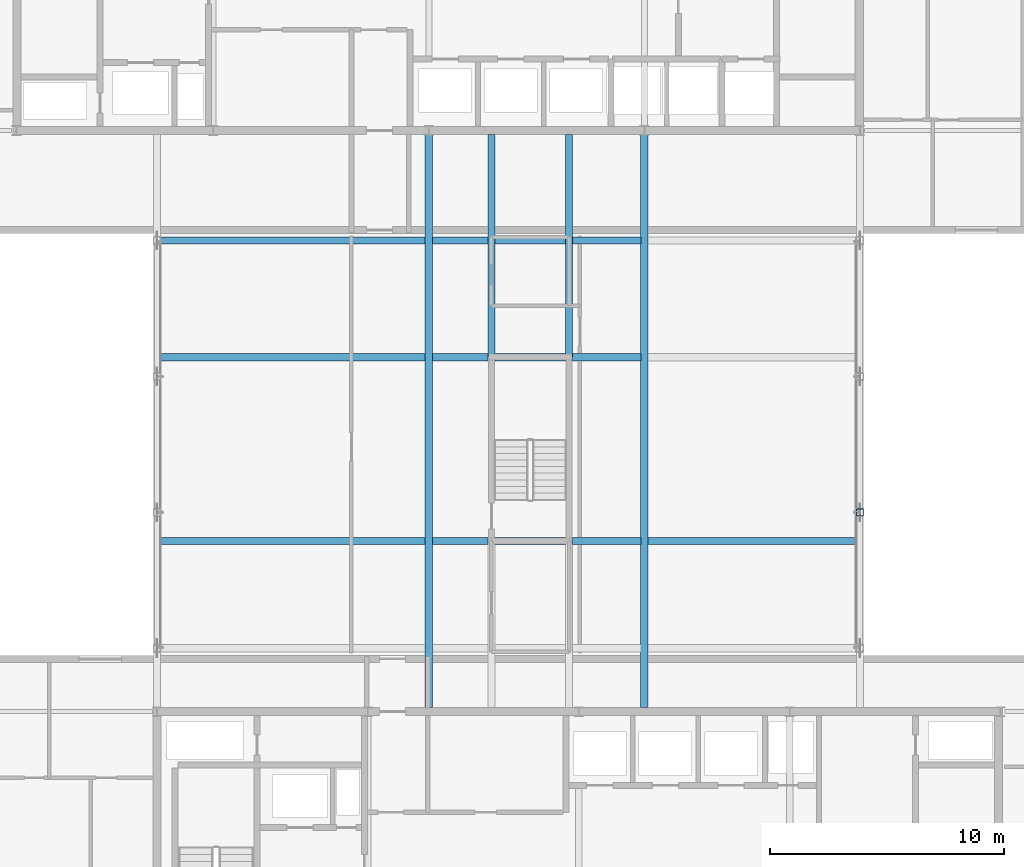
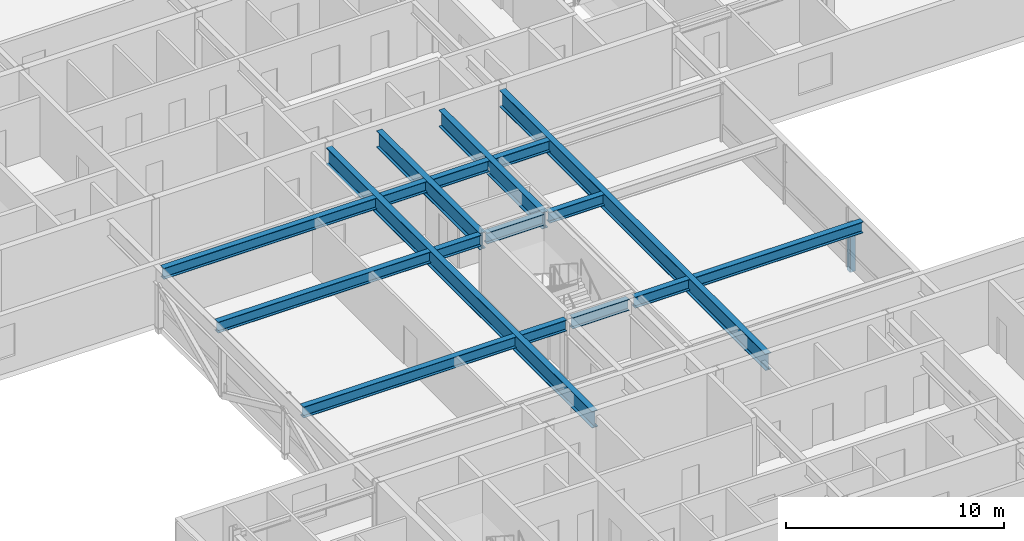
# One storey, part 9 of 36: 17 beams, 1 member.
"""IFC4 building model written with IfcOpenShell, lengths in metres."""

import ifcopenshell
import ifcopenshell.guid

model = None  # the IFC model being written
_history = None  # IfcOwnerHistory: only IFC2X3 demands one
_inside = {}  # id of a spatial element -> (the spatial element, [elements in it])
_under = {}  # id of a project, library or spatial element -> (it, [spatial elements below it])
_declared = {}  # id of a project -> (the project, [libraries it declares])
_typed = {}  # id of a type object -> (the type object, [elements of that type])
_made_of = {}  # id of a material, layer set ... -> (it, [elements and type objects made of it])


def new_model(schema):
    """Start an empty IFC model of exactly this schema.

    Asked for "IFC4X3", IfcOpenShell would pick the latest addendum, in which some entities
    have other attributes; the version numbers below select the first issue.
    IFC2X3 requires an IfcOwnerHistory on every rooted entity: one is made here for all.
    """
    global model, _history
    if schema == "IFC4X3":
        model = ifcopenshell.file(schema_version=(4, 3, 0, 0))
    else:
        model = ifcopenshell.file(schema=schema)
    _inside.clear()
    _under.clear()
    _declared.clear()
    _typed.clear()
    _made_of.clear()
    _history = None
    if model.schema == "IFC2X3":
        org = make("IfcOrganization", Name="unknown")
        user = make(
            "IfcPersonAndOrganization",
            ThePerson=make("IfcPerson", FamilyName="unknown"),
            TheOrganization=org,
        )
        app = make(
            "IfcApplication",
            ApplicationDeveloper=org,
            Version="unknown",
            ApplicationFullName="unknown",
            ApplicationIdentifier="unknown",
        )
        _history = make(
            "IfcOwnerHistory",
            OwningUser=user,
            OwningApplication=app,
            ChangeAction="ADDED",
            CreationDate=0,
        )
    return model


def make(cls, **values):
    """One entity of the class cls with the attributes given. An attribute that is None is left unset."""
    return model.create_entity(
        cls, **{name: value for name, value in values.items() if value is not None}
    )


def rooted(cls, **values):
    """An entity with a GlobalId (a new one), such as an element, a storey or a relation."""
    return make(cls, GlobalId=ifcopenshell.guid.new(), OwnerHistory=_history, **values)


def si_unit(unit_type, name, prefix=None):
    """IfcSIUnit, for example si_unit("LENGTHUNIT", "METRE", prefix="MILLI")."""
    return make("IfcSIUnit", UnitType=unit_type, Prefix=prefix, Name=name)


def assignment(units):
    """IfcUnitAssignment: the units of a project."""
    return None if units is None else make("IfcUnitAssignment", Units=units)


def point(xyz):
    """IfcCartesianPoint."""
    return None if xyz is None else make("IfcCartesianPoint", Coordinates=xyz)


def direction(xyz):
    """IfcDirection."""
    return None if xyz is None else make("IfcDirection", DirectionRatios=xyz)


def frame(location, z_axis=None, x_axis=None):
    """IfcAxis2Placement3D, a coordinate frame: its origin and axes. An axis left out is left unset."""
    return make(
        "IfcAxis2Placement3D",
        Location=point(location),
        Axis=direction(z_axis),
        RefDirection=direction(x_axis),
    )


def frame_2d(location, x_axis=None):
    """IfcAxis2Placement2D, a coordinate frame in the plane: its origin and x axis."""
    return make(
        "IfcAxis2Placement2D", Location=point(location), RefDirection=direction(x_axis)
    )


def origin():
    """The frame at (0, 0, 0) with its axes left unset."""
    return frame((0.0, 0.0, 0.0))


def origin_2d():
    """The frame at (0, 0) in the plane with its x axis left unset."""
    return frame_2d((0.0, 0.0))


def place(relative_to, where):
    """IfcLocalPlacement: puts the frame where relative to a parent placement (None: the world)."""
    return make(
        "IfcLocalPlacement", PlacementRelTo=relative_to, RelativePlacement=where
    )


def context(
    kind, dimensions, precision=None, world=None, true_north=None, identifier=None
):
    """IfcGeometricRepresentationContext, for example the 3D "Model" context."""
    return make(
        "IfcGeometricRepresentationContext",
        ContextIdentifier=identifier,
        ContextType=kind,
        CoordinateSpaceDimension=dimensions,
        Precision=precision,
        WorldCoordinateSystem=world,
        TrueNorth=true_north,
    )


def subcontext(parent, identifier, kind, view, scale=None):
    """IfcGeometricRepresentationSubContext, for example "Body" below "Model"."""
    return make(
        "IfcGeometricRepresentationSubContext",
        ContextIdentifier=identifier,
        ContextType=kind,
        ParentContext=parent,
        TargetScale=scale,
        TargetView=view,
    )


def project(units=None, contexts=None):
    """IfcProject with its units and contexts."""
    return rooted(
        "IfcProject",
        Name="project",
        RepresentationContexts=contexts,
        UnitsInContext=assignment(units),
    )


def spatial(cls, under=None, at=None, **own):
    """A site, building, storey or space (cls), placed at a placement, below another one or the project."""
    s = rooted(cls, ObjectPlacement=at, **own)
    if under is not None:
        _under.setdefault(under.id(), (under, []))[1].append(s)
    return s


def profile(cls, at=None, kind="AREA", **sizes):
    """A parametric profile (cls). Its sizes go by their IFC names, for example OverallWidth=200.0."""
    return make(cls, ProfileType=kind, Position=at, **sizes)


def hollow_rectangle(**sizes):
    """IfcRectangleHollowProfileDef."""
    return profile("IfcRectangleHollowProfileDef", **sizes)


def i_section(**sizes):
    """IfcIShapeProfileDef."""
    return profile("IfcIShapeProfileDef", **sizes)


def extrude(swept, where, along, depth):
    """IfcExtrudedAreaSolid: the profile swept, set in the frame where, extruded along a direction by depth."""
    return make(
        "IfcExtrudedAreaSolid",
        SweptArea=swept,
        Position=where,
        ExtrudedDirection=direction(along),
        Depth=depth,
    )


def shape(context_of_items, identifier, shape_type, items):
    """IfcShapeRepresentation: the items that make up one representation, for example the "Body"."""
    return make(
        "IfcShapeRepresentation",
        ContextOfItems=context_of_items,
        RepresentationIdentifier=identifier,
        RepresentationType=shape_type,
        Items=items,
    )


def material(Name=None, Category=None):
    """IfcMaterial."""
    return make("IfcMaterial", Name=Name, Category=Category)


def material_profile(
    of_material, cross_section, Name=None, Category=None, Priority=None
):
    """IfcMaterialProfile: a cross section and its material."""
    return make(
        "IfcMaterialProfile",
        Name=Name,
        Material=of_material,
        Profile=cross_section,
        Priority=Priority,
        Category=Category,
    )


def profile_set(profiles, Name=None, composite=None):
    """IfcMaterialProfileSet."""
    return make(
        "IfcMaterialProfileSet",
        Name=Name,
        MaterialProfiles=profiles,
        CompositeProfile=composite,
    )


def made_of(thing, what):
    """Note that an element or type object is made of a material, layer set ...; save() writes the relation."""
    if what is not None:
        _made_of.setdefault(what.id(), (what, []))[1].append(thing)
    return thing


def type_object(cls, material=None, **own):
    """A type object (cls), such as IfcWallType, which elements share."""
    return made_of(rooted(cls, **own), material)


def element(
    cls,
    number,
    at=None,
    inside=None,
    cuts=None,
    type_object=None,
    material=None,
    context=None,
    identifier="Body",
    shape_type=None,
    held_by="IfcProductDefinitionShape",
    body=None,
    shapes=None,
    **own,
):
    """One element of the class cls, such as IfcWall. Its Tag is "e" and its number.

    at: its placement. inside: the storey or other place that contains it. cuts: it is an
    opening in that element (IfcRelVoidsElement). A single representation is given by context,
    identifier, shape_type and body (its items); several are given by shapes. held_by: the class
    of the entity that holds the representations. save() writes the other relations.
    """
    e = rooted(cls, Tag="e%d" % number, ObjectPlacement=at, **own)
    if body is not None:
        shapes = [shape(context, identifier, shape_type, body)]
    if shapes is not None:
        e.Representation = make(held_by, Representations=shapes)
    if inside is not None:
        _inside.setdefault(inside.id(), (inside, []))[1].append(e)
    if cuts is not None:
        rooted(
            "IfcRelVoidsElement", RelatingBuildingElement=cuts, RelatedOpeningElement=e
        )
    if type_object is not None:
        _typed.setdefault(type_object.id(), (type_object, []))[1].append(e)
    return made_of(e, material)


def aggregate(whole, parts):
    """IfcRelAggregates: a whole, such as a stair, and the parts it consists of."""
    return rooted("IfcRelAggregates", RelatingObject=whole, RelatedObjects=parts)


def save(model, path):
    """Write the relations noted so far, then the file.

    IfcRelAggregates (storeys below a building ...), IfcRelContainedInSpatialStructure (elements
    in a storey), IfcRelDefinesByType, IfcRelAssociatesMaterial and IfcRelDeclares: one each for
    every whole, place, type object, material and project.
    """
    for whole, parts in _under.values():
        aggregate(whole, parts)
    for where, things in _inside.values():
        rooted(
            "IfcRelContainedInSpatialStructure",
            RelatedElements=things,
            RelatingStructure=where,
        )
    for kind, things in _typed.values():
        rooted("IfcRelDefinesByType", RelatedObjects=things, RelatingType=kind)
    for what, things in _made_of.values():
        rooted("IfcRelAssociatesMaterial", RelatedObjects=things, RelatingMaterial=what)
    for by, libraries in _declared.values():
        rooted("IfcRelDeclares", RelatingContext=by, RelatedDefinitions=libraries)
    model.write(path)


model = new_model("IFC4")

# Units and contexts
model_context = context("Model", 3, precision=1e-05, world=origin(), true_north=direction((0.0, 1.0)))
body_context = subcontext(model_context, "Body", "Model", "MODEL_VIEW")
ifc_project = project(units=[si_unit("LENGTHUNIT", "METRE"), si_unit("AREAUNIT", "SQUARE_METRE"), si_unit("VOLUMEUNIT", "CUBIC_METRE"), si_unit("PLANEANGLEUNIT", "RADIAN"), si_unit("MASSUNIT", "GRAM", prefix="KILO")], contexts=[model_context])

# Site, building, storey
site_placement = place(None, origin())
site = spatial("IfcSite", under=ifc_project, at=site_placement, CompositionType="ELEMENT")
building_placement = place(site_placement, origin())
building = spatial("IfcBuilding", under=site, at=building_placement, Name="Korimba Cascade Residences", CompositionType="ELEMENT")
storey_placement = place(building_placement, frame((0.0, 0.0, 139.300048828125)))
storey = spatial("IfcBuildingStorey", under=building, at=storey_placement, Name="L40", CompositionType="ELEMENT", Elevation=139.300048828125)

# Beams
ifc_material_1 = material(Name="Steel S355", Category="steel")
ifc_material_profile_1 = material_profile(ifc_material_1, i_section(OverallWidth=0.30712890625, OverallDepth=0.6201171875, WebThickness=0.01416015625, FlangeThickness=0.023681640625, FilletRadius=0.0166015625, at=origin_2d()), Name="Steel S355")
ifc_profile_set_1 = profile_set([ifc_material_profile_1], Name="Steel S355")
beam_type_1 = type_object("IfcBeamType", Name="BM-STL-UB610A", PredefinedType="BEAM", material=ifc_profile_set_1)
beam_1_placement = place(storey_placement, frame((82.251953125, 37.675048828125, 2.999755859375), z_axis=(1.0, 0.0, 0.0), x_axis=(0.0, 1.0, 0.0)))
element("IfcBeam", 1, at=beam_1_placement, inside=storey, type_object=beam_type_1, Name="L40 Mid-Bridge Cross Beam 37.1", PredefinedType="BEAM", context=body_context, shape_type="SweptSolid", body=[
    extrude(i_section(OverallWidth=0.30712890625, OverallDepth=0.6201171875, WebThickness=0.01416015625, FlangeThickness=0.023681640625, FilletRadius=0.0166015625, at=origin_2d()), origin(), (0.0, 0.0, 1.0), 11.296142578125),
])
beam_2_placement = place(storey_placement, frame((93.85205078125, 37.675048828125, 2.999755859375), z_axis=(1.0, 0.0, 0.0), x_axis=(0.0, 1.0, 0.0)))
element("IfcBeam", 2, at=beam_2_placement, inside=storey, type_object=beam_type_1, Name="L40 Mid-Bridge Cross Beam 37.2", PredefinedType="BEAM", context=body_context, shape_type="SweptSolid", body=[
    extrude(i_section(OverallWidth=0.30712890625, OverallDepth=0.6201171875, WebThickness=0.01416015625, FlangeThickness=0.023681640625, FilletRadius=0.0166015625, at=origin_2d()), origin(), (0.0, 0.0, 1.0), 2.370849609375),
])
beam_3_placement = place(storey_placement, frame((96.527099609375, 37.675048828125, 2.999755859375), z_axis=(1.0, 0.0, 0.0), x_axis=(0.0, 1.0, 0.0)))
element("IfcBeam", 3, at=beam_3_placement, inside=storey, type_object=beam_type_1, Name="L40 Mid-Bridge Cross Beam 37.3", PredefinedType="BEAM", context=body_context, shape_type="SweptSolid", body=[
    extrude(i_section(OverallWidth=0.30712890625, OverallDepth=0.6201171875, WebThickness=0.01416015625, FlangeThickness=0.023681640625, FilletRadius=0.0166015625, at=origin_2d()), origin(), (0.0, 0.0, 1.0), 3.005859375),
])
beam_4_placement = place(storey_placement, frame((99.8369140625, 37.675048828125, 2.999755859375), z_axis=(1.0, 0.0, 0.0), x_axis=(0.0, 1.0, 0.0)))
element("IfcBeam", 4, at=beam_4_placement, inside=storey, type_object=beam_type_1, Name="L40 Mid-Bridge Cross Beam 37.4", PredefinedType="BEAM", context=body_context, shape_type="SweptSolid", body=[
    extrude(i_section(OverallWidth=0.30712890625, OverallDepth=0.6201171875, WebThickness=0.01416015625, FlangeThickness=0.023681640625, FilletRadius=0.0166015625, at=origin_2d()), origin(), (0.0, 0.0, 1.0), 2.9111328125),
])
beam_5_placement = place(storey_placement, frame((103.052001953125, 37.675048828125, 2.999755859375), z_axis=(1.0, 0.0, 0.0), x_axis=(0.0, 1.0, 0.0)))
element("IfcBeam", 5, at=beam_5_placement, inside=storey, type_object=beam_type_1, Name="L40 Mid-Bridge Cross Beam 37.5", PredefinedType="BEAM", context=body_context, shape_type="SweptSolid", body=[
    extrude(i_section(OverallWidth=0.30712890625, OverallDepth=0.6201171875, WebThickness=0.01416015625, FlangeThickness=0.023681640625, FilletRadius=0.0166015625, at=origin_2d()), origin(), (0.0, 0.0, 1.0), 8.89599609375),
])
beam_6_placement = place(storey_placement, frame((82.251953125, 45.52490234375, 2.999755859375), z_axis=(1.0, 0.0, 0.0), x_axis=(0.0, 1.0, 0.0)))
element("IfcBeam", 6, at=beam_6_placement, inside=storey, type_object=beam_type_1, Name="L40 Mid-Bridge Cross Beam 45.1", PredefinedType="BEAM", context=body_context, shape_type="SweptSolid", body=[
    extrude(i_section(OverallWidth=0.30712890625, OverallDepth=0.6201171875, WebThickness=0.01416015625, FlangeThickness=0.023681640625, FilletRadius=0.0166015625, at=origin_2d()), origin(), (0.0, 0.0, 1.0), 11.296142578125),
])
beam_7_placement = place(storey_placement, frame((93.85205078125, 45.52490234375, 2.999755859375), z_axis=(1.0, 0.0, 0.0), x_axis=(0.0, 1.0, 0.0)))
element("IfcBeam", 7, at=beam_7_placement, inside=storey, type_object=beam_type_1, Name="L40 Mid-Bridge Cross Beam 45.2", PredefinedType="BEAM", context=body_context, shape_type="SweptSolid", body=[
    extrude(i_section(OverallWidth=0.30712890625, OverallDepth=0.6201171875, WebThickness=0.01416015625, FlangeThickness=0.023681640625, FilletRadius=0.0166015625, at=origin_2d()), origin(), (0.0, 0.0, 1.0), 2.370849609375),
])
beam_8_placement = place(storey_placement, frame((96.527099609375, 45.52490234375, 2.999755859375), z_axis=(1.0, 0.0, 0.0), x_axis=(0.0, 1.0, 0.0)))
element("IfcBeam", 8, at=beam_8_placement, inside=storey, type_object=beam_type_1, Name="L40 Mid-Bridge Cross Beam 45.3", PredefinedType="BEAM", context=body_context, shape_type="SweptSolid", body=[
    extrude(i_section(OverallWidth=0.30712890625, OverallDepth=0.6201171875, WebThickness=0.01416015625, FlangeThickness=0.023681640625, FilletRadius=0.0166015625, at=origin_2d()), origin(), (0.0, 0.0, 1.0), 3.005859375),
])
beam_9_placement = place(storey_placement, frame((99.8369140625, 45.52490234375, 2.999755859375), z_axis=(1.0, 0.0, 0.0), x_axis=(0.0, 1.0, 0.0)))
element("IfcBeam", 9, at=beam_9_placement, inside=storey, type_object=beam_type_1, Name="L40 Mid-Bridge Cross Beam 45.4", PredefinedType="BEAM", context=body_context, shape_type="SweptSolid", body=[
    extrude(i_section(OverallWidth=0.30712890625, OverallDepth=0.6201171875, WebThickness=0.01416015625, FlangeThickness=0.023681640625, FilletRadius=0.0166015625, at=origin_2d()), origin(), (0.0, 0.0, 1.0), 2.9111328125),
])
beam_10_placement = place(storey_placement, frame((82.251953125, 50.5, 2.999755859375), z_axis=(1.0, 0.0, 0.0), x_axis=(0.0, 1.0, 0.0)))
element("IfcBeam", 10, at=beam_10_placement, inside=storey, type_object=beam_type_1, Name="L40 Mid-Bridge Cross Beam 50.1", PredefinedType="BEAM", context=body_context, shape_type="SweptSolid", body=[
    extrude(i_section(OverallWidth=0.30712890625, OverallDepth=0.6201171875, WebThickness=0.01416015625, FlangeThickness=0.023681640625, FilletRadius=0.0166015625, at=origin_2d()), origin(), (0.0, 0.0, 1.0), 11.296142578125),
])
beam_11_placement = place(storey_placement, frame((93.85205078125, 50.5, 2.999755859375), z_axis=(1.0, 0.0, 0.0), x_axis=(0.0, 1.0, 0.0)))
element("IfcBeam", 11, at=beam_11_placement, inside=storey, type_object=beam_type_1, Name="L40 Mid-Bridge Cross Beam 50.2", PredefinedType="BEAM", context=body_context, shape_type="SweptSolid", body=[
    extrude(i_section(OverallWidth=0.30712890625, OverallDepth=0.6201171875, WebThickness=0.01416015625, FlangeThickness=0.023681640625, FilletRadius=0.0166015625, at=origin_2d()), origin(), (0.0, 0.0, 1.0), 2.370849609375),
])
beam_12_placement = place(storey_placement, frame((96.527099609375, 50.5, 2.999755859375), z_axis=(1.0, 0.0, 0.0), x_axis=(0.0, 1.0, 0.0)))
element("IfcBeam", 12, at=beam_12_placement, inside=storey, type_object=beam_type_1, Name="L40 Mid-Bridge Cross Beam 50.3", PredefinedType="BEAM", context=body_context, shape_type="SweptSolid", body=[
    extrude(i_section(OverallWidth=0.30712890625, OverallDepth=0.6201171875, WebThickness=0.01416015625, FlangeThickness=0.023681640625, FilletRadius=0.0166015625, at=origin_2d()), origin(), (0.0, 0.0, 1.0), 3.005859375),
])
beam_13_placement = place(storey_placement, frame((99.8369140625, 50.5, 2.999755859375), z_axis=(1.0, 0.0, 0.0), x_axis=(0.0, 1.0, 0.0)))
element("IfcBeam", 13, at=beam_13_placement, inside=storey, type_object=beam_type_1, Name="L40 Mid-Bridge Cross Beam 50.4", PredefinedType="BEAM", context=body_context, shape_type="SweptSolid", body=[
    extrude(i_section(OverallWidth=0.30712890625, OverallDepth=0.6201171875, WebThickness=0.01416015625, FlangeThickness=0.023681640625, FilletRadius=0.0166015625, at=origin_2d()), origin(), (0.0, 0.0, 1.0), 2.9111328125),
])
ifc_material_2 = material(Name="Steel S460", Category="steel")
ifc_material_profile_2 = material_profile(ifc_material_2, i_section(OverallWidth=0.3076171875, OverallDepth=0.926513671875, WebThickness=0.01953125, FlangeThickness=0.031982421875, FilletRadius=0.01904296875, at=origin_2d()), Name="Steel S460")
ifc_profile_set_2 = profile_set([ifc_material_profile_2], Name="Steel S460")
beam_type_2 = type_object("IfcBeamType", Name="BM-STL-UB914B", PredefinedType="BEAM", material=ifc_profile_set_2)
beam_14_placement = place(storey_placement, frame((93.699951171875, 30.574951171875, 2.8466796875), z_axis=(0.0, 1.0, 0.0), x_axis=(-1.0, 0.0, 0.0)))
element("IfcBeam", 14, at=beam_14_placement, inside=storey, type_object=beam_type_2, Name="L40 Rigid Mid-Bridge Truss Chord 2", PredefinedType="BEAM", context=body_context, shape_type="SweptSolid", body=[
    extrude(i_section(OverallWidth=0.3076171875, OverallDepth=0.926513671875, WebThickness=0.01953125, FlangeThickness=0.031982421875, FilletRadius=0.01904296875, at=origin_2d()), origin(), (0.0, 0.0, 1.0), 24.449951171875),
])
for number, where, z_axis, x_axis, name in (
    (15, (96.375, 45.52490234375, 2.8466796875), (0.0, 1.0, 0.0), (-1.0, 0.0, 0.0), "L40 Rigid Mid-Bridge Truss Chord 3"),
    (16, (99.68505859375, 45.52490234375, 2.8466796875), (0.0, 1.0, 0.0), (-1.0, 0.0, 0.0), "L40 Rigid Mid-Bridge Truss Chord 4"),
):
    element("IfcBeam", number, at=place(storey_placement, frame(where, z_axis=z_axis, x_axis=x_axis)), inside=storey, type_object=beam_type_2, Name=name, PredefinedType="BEAM", context=body_context, shape_type="SweptSolid", body=[
        extrude(i_section(OverallWidth=0.3076171875, OverallDepth=0.926513671875, WebThickness=0.01953125, FlangeThickness=0.031982421875, FilletRadius=0.01904296875, at=origin_2d()), origin(), (0.0, 0.0, 1.0), 9.5),
    ])
beam_15_placement = place(storey_placement, frame((102.89990234375, 30.574951171875, 2.8466796875), z_axis=(0.0, 1.0, 0.0), x_axis=(-1.0, 0.0, 0.0)))
element("IfcBeam", 17, at=beam_15_placement, inside=storey, type_object=beam_type_2, Name="L40 Rigid Mid-Bridge Truss Chord 5", PredefinedType="BEAM", context=body_context, shape_type="SweptSolid", body=[
    extrude(i_section(OverallWidth=0.3076171875, OverallDepth=0.926513671875, WebThickness=0.01953125, FlangeThickness=0.031982421875, FilletRadius=0.01904296875, at=origin_2d()), origin(), (0.0, 0.0, 1.0), 24.449951171875),
])

# Member
ifc_material_profile_3 = material_profile(ifc_material_2, hollow_rectangle(XDim=0.300048828125, YDim=0.300048828125, WallThickness=0.012451171875, InnerFilletRadius=0.012451171875, OuterFilletRadius=0.02490234375, at=origin_2d()), Name="Steel S460")
ifc_profile_set_3 = profile_set([ifc_material_profile_3], Name="Steel S460")
member_type = type_object("IfcMemberType", Name="MEM-BRG-STR300", PredefinedType="STRUT", material=ifc_profile_set_3)
member_placement = place(storey_placement, frame((112.10009765625, 38.89990234375, -0.2900390625), z_axis=(0.0, 0.0, 1.0), x_axis=(1.0, 0.0, 0.0)))
element("IfcMember", 18, at=member_placement, inside=storey, type_object=member_type, Name="L40 Mid-Bridge Warren Web Post E2", PredefinedType="STRUT", context=body_context, shape_type="SweptSolid", body=[
    extrude(hollow_rectangle(XDim=0.300048828125, YDim=0.300048828125, WallThickness=0.012451171875, InnerFilletRadius=0.012451171875, OuterFilletRadius=0.02490234375, at=origin_2d()), origin(), (0.0, 0.0, 1.0), 2.67333984375),
])

save(model, "model.ifc")
